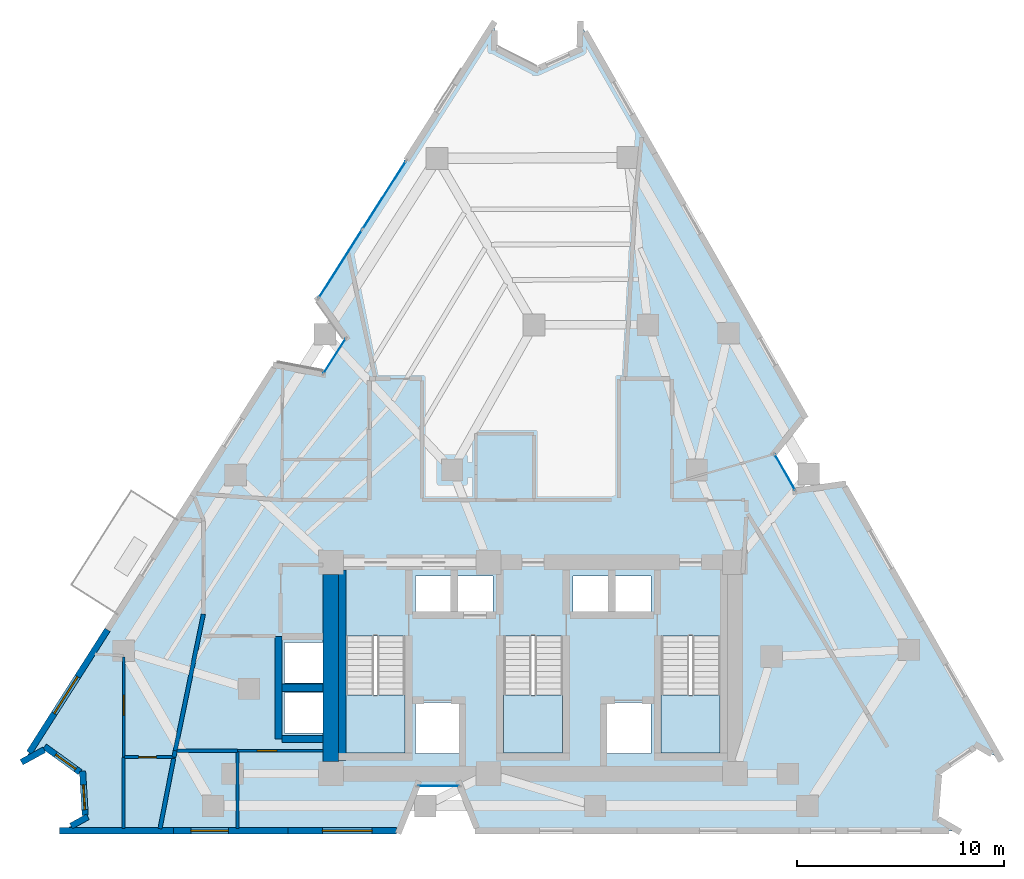
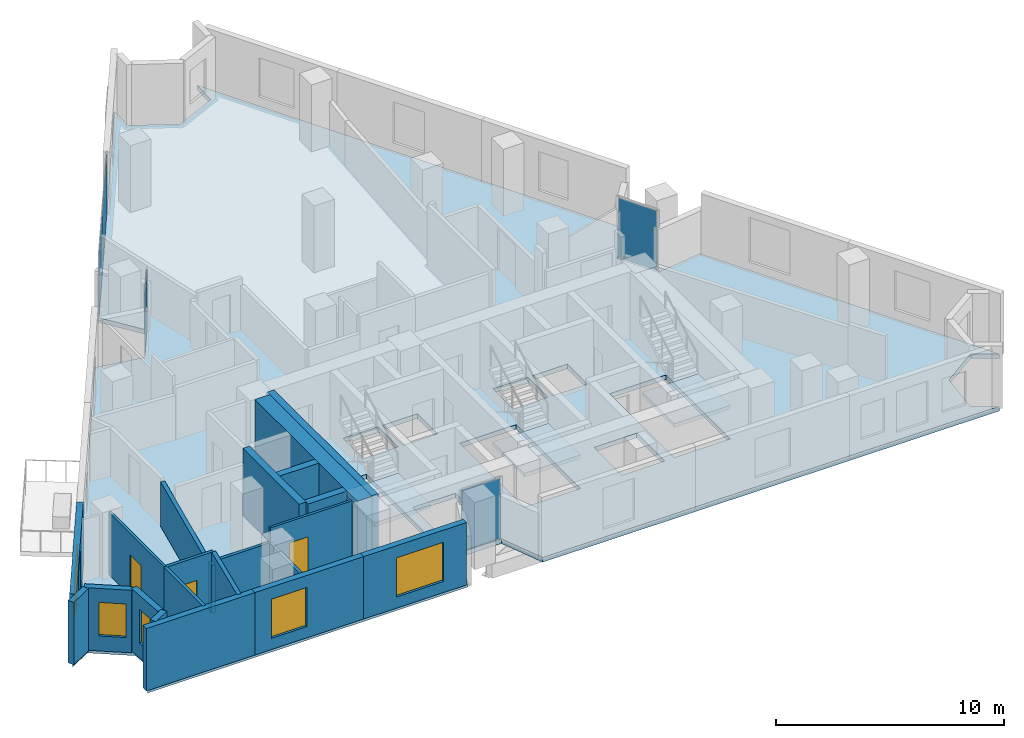
# One storey, part 6 of 11: 22 walls, 5 plates, 5 windows, 4 slabs, 3 doors, 8 openings, 7 elements without a shape of their own.
"""IFC4 building model written with IfcOpenShell, lengths in metres."""

import ifcopenshell
import ifcopenshell.guid

model = None  # the IFC model being written
_history = None  # IfcOwnerHistory: only IFC2X3 demands one
_inside = {}  # id of a spatial element -> (the spatial element, [elements in it])
_under = {}  # id of a project, library or spatial element -> (it, [spatial elements below it])
_declared = {}  # id of a project -> (the project, [libraries it declares])
_typed = {}  # id of a type object -> (the type object, [elements of that type])
_made_of = {}  # id of a material, layer set ... -> (it, [elements and type objects made of it])


def new_model(schema):
    """Start an empty IFC model of exactly this schema.

    Asked for "IFC4X3", IfcOpenShell would pick the latest addendum, in which some entities
    have other attributes; the version numbers below select the first issue.
    IFC2X3 requires an IfcOwnerHistory on every rooted entity: one is made here for all.
    """
    global model, _history
    if schema == "IFC4X3":
        model = ifcopenshell.file(schema_version=(4, 3, 0, 0))
    else:
        model = ifcopenshell.file(schema=schema)
    _inside.clear()
    _under.clear()
    _declared.clear()
    _typed.clear()
    _made_of.clear()
    _history = None
    if model.schema == "IFC2X3":
        org = make("IfcOrganization", Name="unknown")
        user = make(
            "IfcPersonAndOrganization",
            ThePerson=make("IfcPerson", FamilyName="unknown"),
            TheOrganization=org,
        )
        app = make(
            "IfcApplication",
            ApplicationDeveloper=org,
            Version="unknown",
            ApplicationFullName="unknown",
            ApplicationIdentifier="unknown",
        )
        _history = make(
            "IfcOwnerHistory",
            OwningUser=user,
            OwningApplication=app,
            ChangeAction="ADDED",
            CreationDate=0,
        )
    return model


def make(cls, **values):
    """One entity of the class cls with the attributes given. An attribute that is None is left unset."""
    return model.create_entity(
        cls, **{name: value for name, value in values.items() if value is not None}
    )


def rooted(cls, **values):
    """An entity with a GlobalId (a new one), such as an element, a storey or a relation."""
    return make(cls, GlobalId=ifcopenshell.guid.new(), OwnerHistory=_history, **values)


def si_unit(unit_type, name, prefix=None):
    """IfcSIUnit, for example si_unit("LENGTHUNIT", "METRE", prefix="MILLI")."""
    return make("IfcSIUnit", UnitType=unit_type, Prefix=prefix, Name=name)


def assignment(units):
    """IfcUnitAssignment: the units of a project."""
    return None if units is None else make("IfcUnitAssignment", Units=units)


def point(xyz):
    """IfcCartesianPoint."""
    return None if xyz is None else make("IfcCartesianPoint", Coordinates=xyz)


def direction(xyz):
    """IfcDirection."""
    return None if xyz is None else make("IfcDirection", DirectionRatios=xyz)


def frame(location, z_axis=None, x_axis=None):
    """IfcAxis2Placement3D, a coordinate frame: its origin and axes. An axis left out is left unset."""
    return make(
        "IfcAxis2Placement3D",
        Location=point(location),
        Axis=direction(z_axis),
        RefDirection=direction(x_axis),
    )


def frame_2d(location, x_axis=None):
    """IfcAxis2Placement2D, a coordinate frame in the plane: its origin and x axis."""
    return make(
        "IfcAxis2Placement2D", Location=point(location), RefDirection=direction(x_axis)
    )


def origin():
    """The frame at (0, 0, 0) with its axes left unset."""
    return frame((0.0, 0.0, 0.0))


def origin_2d():
    """The frame at (0, 0) in the plane with its x axis left unset."""
    return frame_2d((0.0, 0.0))


def place(relative_to, where):
    """IfcLocalPlacement: puts the frame where relative to a parent placement (None: the world)."""
    return make(
        "IfcLocalPlacement", PlacementRelTo=relative_to, RelativePlacement=where
    )


def context(
    kind, dimensions, precision=None, world=None, true_north=None, identifier=None
):
    """IfcGeometricRepresentationContext, for example the 3D "Model" context."""
    return make(
        "IfcGeometricRepresentationContext",
        ContextIdentifier=identifier,
        ContextType=kind,
        CoordinateSpaceDimension=dimensions,
        Precision=precision,
        WorldCoordinateSystem=world,
        TrueNorth=true_north,
    )


def subcontext(parent, identifier, kind, view, scale=None):
    """IfcGeometricRepresentationSubContext, for example "Body" below "Model"."""
    return make(
        "IfcGeometricRepresentationSubContext",
        ContextIdentifier=identifier,
        ContextType=kind,
        ParentContext=parent,
        TargetScale=scale,
        TargetView=view,
    )


def project(units=None, contexts=None):
    """IfcProject with its units and contexts."""
    return rooted(
        "IfcProject",
        Name="project",
        RepresentationContexts=contexts,
        UnitsInContext=assignment(units),
    )


def spatial(cls, under=None, at=None, **own):
    """A site, building, storey or space (cls), placed at a placement, below another one or the project."""
    s = rooted(cls, ObjectPlacement=at, **own)
    if under is not None:
        _under.setdefault(under.id(), (under, []))[1].append(s)
    return s


def polyline(points):
    """IfcPolyline through the points."""
    return make("IfcPolyline", Points=[point(p) for p in points])


def profile(cls, at=None, kind="AREA", **sizes):
    """A parametric profile (cls). Its sizes go by their IFC names, for example OverallWidth=200.0."""
    return make(cls, ProfileType=kind, Position=at, **sizes)


def rectangle(**sizes):
    """IfcRectangleProfileDef."""
    return profile("IfcRectangleProfileDef", **sizes)


def outline(outer, holes=None, kind="AREA"):
    """IfcArbitraryClosedProfileDef: a profile drawn as a closed curve; with holes, ...WithVoids."""
    if holes is None:
        return make("IfcArbitraryClosedProfileDef", ProfileType=kind, OuterCurve=outer)
    return make(
        "IfcArbitraryProfileDefWithVoids",
        ProfileType=kind,
        OuterCurve=outer,
        InnerCurves=holes,
    )


def extrude(swept, where, along, depth):
    """IfcExtrudedAreaSolid: the profile swept, set in the frame where, extruded along a direction by depth."""
    return make(
        "IfcExtrudedAreaSolid",
        SweptArea=swept,
        Position=where,
        ExtrudedDirection=direction(along),
        Depth=depth,
    )


def shape(context_of_items, identifier, shape_type, items):
    """IfcShapeRepresentation: the items that make up one representation, for example the "Body"."""
    return make(
        "IfcShapeRepresentation",
        ContextOfItems=context_of_items,
        RepresentationIdentifier=identifier,
        RepresentationType=shape_type,
        Items=items,
    )


def material(Name=None, Category=None):
    """IfcMaterial."""
    return make("IfcMaterial", Name=Name, Category=Category)


def layer(
    of_material, thickness, ventilated=None, Name=None, Category=None, Priority=None
):
    """IfcMaterialLayer: one layer of a wall or slab, of a material (None: an air gap)."""
    return make(
        "IfcMaterialLayer",
        Material=of_material,
        LayerThickness=thickness,
        IsVentilated=ventilated,
        Name=Name,
        Category=Category,
        Priority=Priority,
    )


def layer_set(layers, Name=None):
    """IfcMaterialLayerSet."""
    return make("IfcMaterialLayerSet", MaterialLayers=layers, LayerSetName=Name)


def made_of(thing, what):
    """Note that an element or type object is made of a material, layer set ...; save() writes the relation."""
    if what is not None:
        _made_of.setdefault(what.id(), (what, []))[1].append(thing)
    return thing


def type_object(cls, material=None, **own):
    """A type object (cls), such as IfcWallType, which elements share."""
    return made_of(rooted(cls, **own), material)


def element(
    cls,
    number,
    at=None,
    inside=None,
    cuts=None,
    type_object=None,
    material=None,
    context=None,
    identifier="Body",
    shape_type=None,
    held_by="IfcProductDefinitionShape",
    body=None,
    shapes=None,
    **own,
):
    """One element of the class cls, such as IfcWall. Its Tag is "e" and its number.

    at: its placement. inside: the storey or other place that contains it. cuts: it is an
    opening in that element (IfcRelVoidsElement). A single representation is given by context,
    identifier, shape_type and body (its items); several are given by shapes. held_by: the class
    of the entity that holds the representations. save() writes the other relations.
    """
    e = rooted(cls, Tag="e%d" % number, ObjectPlacement=at, **own)
    if body is not None:
        shapes = [shape(context, identifier, shape_type, body)]
    if shapes is not None:
        e.Representation = make(held_by, Representations=shapes)
    if inside is not None:
        _inside.setdefault(inside.id(), (inside, []))[1].append(e)
    if cuts is not None:
        rooted(
            "IfcRelVoidsElement", RelatingBuildingElement=cuts, RelatedOpeningElement=e
        )
    if type_object is not None:
        _typed.setdefault(type_object.id(), (type_object, []))[1].append(e)
    return made_of(e, material)


def fill(opening, filler):
    """IfcRelFillsElement: the door or window that sits in an opening."""
    return rooted(
        "IfcRelFillsElement",
        RelatingOpeningElement=opening,
        RelatedBuildingElement=filler,
    )


def aggregate(whole, parts):
    """IfcRelAggregates: a whole, such as a stair, and the parts it consists of."""
    return rooted("IfcRelAggregates", RelatingObject=whole, RelatedObjects=parts)


def save(model, path):
    """Write the relations noted so far, then the file.

    IfcRelAggregates (storeys below a building ...), IfcRelContainedInSpatialStructure (elements
    in a storey), IfcRelDefinesByType, IfcRelAssociatesMaterial and IfcRelDeclares: one each for
    every whole, place, type object, material and project.
    """
    for whole, parts in _under.values():
        aggregate(whole, parts)
    for where, things in _inside.values():
        rooted(
            "IfcRelContainedInSpatialStructure",
            RelatedElements=things,
            RelatingStructure=where,
        )
    for kind, things in _typed.values():
        rooted("IfcRelDefinesByType", RelatedObjects=things, RelatingType=kind)
    for what, things in _made_of.values():
        rooted("IfcRelAssociatesMaterial", RelatedObjects=things, RelatingMaterial=what)
    for by, libraries in _declared.values():
        rooted("IfcRelDeclares", RelatingContext=by, RelatedDefinitions=libraries)
    model.write(path)


model = new_model("IFC4")

# Units and contexts
model_context = context("Model", 3, precision=1e-05, world=origin(), true_north=direction((0.0, 1.0)))
body_context = subcontext(model_context, "Body", "Model", "MODEL_VIEW")
ifc_project = project(units=[si_unit("LENGTHUNIT", "METRE"), si_unit("AREAUNIT", "SQUARE_METRE"), si_unit("VOLUMEUNIT", "CUBIC_METRE"), si_unit("PLANEANGLEUNIT", "RADIAN"), si_unit("MASSUNIT", "GRAM", prefix="KILO")], contexts=[model_context])

# Site, building, storey
site_placement = place(None, origin())
site = spatial("IfcSite", under=ifc_project, at=site_placement, CompositionType="ELEMENT")
building_placement = place(site_placement, origin())
building = spatial("IfcBuilding", under=site, at=building_placement, Name="Almagre Mirador Tower", CompositionType="ELEMENT")
storey_placement = place(building_placement, frame((0.0, 0.0, 142.800048828125)))
storey = spatial("IfcBuildingStorey", under=building, at=storey_placement, Name="L36", CompositionType="ELEMENT", Elevation=142.800048828125)

# Curtain wall, plate
ifc_material_1 = material(Name="Black anodized aluminium", Category="aluminium")
ifc_layer_1 = layer(ifc_material_1, 0.169921875)
ifc_layer_set_1 = layer_set([ifc_layer_1], Name="Black anodized aluminium")
curtain_wall_type_1 = type_object("IfcCurtainWallType", Name="CW-CRS-SYS", PredefinedType="NOTDEFINED", material=ifc_layer_set_1)
curtain_wall_1_placement = place(storey_placement, origin())
curtain_wall_1 = element("IfcCurtainWall", 1, at=curtain_wall_1_placement, inside=storey, type_object=curtain_wall_type_1, Name="L36 vertical crease curtain wall 01", PredefinedType="NOTDEFINED")
ifc_material_2 = material(Name="Dark solar-control laminated hurricane glass", Category="glass")
ifc_layer_2 = layer(ifc_material_2, 0.028076171875)
ifc_layer_set_2 = layer_set([ifc_layer_2], Name="Dark solar-control laminated hurricane glass")
plate_type_1 = type_object("IfcPlateType", Name="PLT-GLZ-28", PredefinedType="CURTAIN_PANEL", material=ifc_layer_set_2)
plate_1_placement = place(storey_placement, frame((27.7294921875, 24.697509765625, 0.06005859375), z_axis=(0.0, 0.0, 1.0), x_axis=(0.537246906243, 0.843425018441, 0.0)))
plate_1 = element("IfcPlate", 2, at=plate_1_placement, type_object=plate_type_1, Name="CW-4 panel 1.1", PredefinedType="CURTAIN_PANEL", context=body_context, shape_type="SweptSolid", body=[
    extrude(rectangle(XDim=1.97021484375, YDim=0.028076171875, at=origin_2d()), origin(), (0.0, 0.0, 1.0), 3.22998046875),
])
aggregate(curtain_wall_1, [plate_1])

curtain_wall_2_placement = place(storey_placement, origin())
curtain_wall_2 = element("IfcCurtainWall", 3, at=curtain_wall_2_placement, inside=storey, type_object=curtain_wall_type_1, Name="L36 vertical crease curtain wall 03", PredefinedType="NOTDEFINED")
plate_2_placement = place(storey_placement, frame((49.450927734375, 19.098388671875, 0.06005859375), z_axis=(0.0, 0.0, 1.0), x_axis=(0.495726635757, -0.868478613785, 0.0)))
plate_2 = element("IfcPlate", 4, at=plate_2_placement, type_object=plate_type_1, Name="CW-4 panel 1.1", PredefinedType="CURTAIN_PANEL", context=body_context, shape_type="SweptSolid", body=[
    extrude(rectangle(XDim=1.969970703125, YDim=0.028076171875, at=origin_2d()), origin(), (0.0, 0.0, 1.0), 3.22998046875),
])
aggregate(curtain_wall_2, [plate_2])

curtain_wall_3_placement = place(storey_placement, origin())
curtain_wall_3 = element("IfcCurtainWall", 5, at=curtain_wall_3_placement, inside=storey, type_object=curtain_wall_type_1, Name="L36 vertical crease curtain wall 04", PredefinedType="NOTDEFINED")
plate_3_placement = place(storey_placement, frame((32.743896484375, 3.949951171875, 0.06005859375), z_axis=(0.0, 0.0, 1.0), x_axis=(-1.0, 0.0, 0.0)))
plate_3 = element("IfcPlate", 6, at=plate_3_placement, type_object=plate_type_1, Name="CW-4 panel 1.1", PredefinedType="CURTAIN_PANEL", context=body_context, shape_type="SweptSolid", body=[
    extrude(rectangle(XDim=1.969970703125, YDim=0.028076171875, at=origin_2d()), origin(), (0.0, 0.0, 1.0), 3.22998046875),
])
aggregate(curtain_wall_3, [plate_3])

# Curtain wall, plates
ifc_material_3 = material(Name="Black anodized aluminium", Category="aluminium")
ifc_layer_3 = layer(ifc_material_3, 0.199951171875)
ifc_layer_set_3 = layer_set([ifc_layer_3], Name="Black anodized aluminium")
curtain_wall_type_2 = type_object("IfcCurtainWallType", Name="CW-RES-H-SYS", PredefinedType="NOTDEFINED", material=ifc_layer_set_3)
curtain_wall_4_placement = place(storey_placement, origin())
curtain_wall_4 = element("IfcCurtainWall", 7, at=curtain_wall_4_placement, inside=storey, type_object=curtain_wall_type_2, Name="L36 curtain wall run 02", PredefinedType="NOTDEFINED")
ifc_material_4 = material(Name="Dark solar-control laminated hurricane glass", Category="glass")
ifc_layer_4 = layer(ifc_material_4, 0.035888671875)
ifc_layer_set_4 = layer_set([ifc_layer_4], Name="Dark solar-control laminated hurricane glass")
plate_type_2 = type_object("IfcPlateType", Name="PLT-GLZ-36", PredefinedType="CURTAIN_PANEL", material=ifc_layer_set_4)
plate_4_placement = place(storey_placement, frame((28.010009765625, 29.14013671875, 0.06494140625), z_axis=(0.0, 0.0, 1.0), x_axis=(0.537108145162, 0.843513390766, 0.0)))
plate_4 = element("IfcPlate", 8, at=plate_4_placement, type_object=plate_type_2, Name="CW-3 panel 1.1", PredefinedType="CURTAIN_PANEL", context=body_context, shape_type="SweptSolid", body=[
    extrude(rectangle(XDim=3.865478515625, YDim=0.035888671875, at=origin_2d()), origin(), (0.0, 0.0, 1.0), 3.219970703125),
])
plate_5_placement = place(storey_placement, frame((30.12109375, 32.455322265625, 0.06494140625), z_axis=(0.0, 0.0, 1.0), x_axis=(0.537108145162, 0.843513390766, 0.0)))
plate_5 = element("IfcPlate", 9, at=plate_5_placement, type_object=plate_type_2, Name="CW-3 panel 2.1", PredefinedType="CURTAIN_PANEL", context=body_context, shape_type="SweptSolid", body=[
    extrude(rectangle(XDim=3.865478515625, YDim=0.035888671875, at=origin_2d()), origin(), (0.0, 0.0, 1.0), 3.219970703125),
])
aggregate(curtain_wall_4, [plate_4, plate_5])

# Slab
ifc_material_5 = material(Name="Concrete C45/55", Category="concrete")
ifc_layer_5 = layer(ifc_material_5, 0.25)
ifc_layer_set_5 = layer_set([ifc_layer_5], Name="Concrete C45/55")
slab_type_1 = type_object("IfcSlabType", Name="SLB-FLR-250", PredefinedType="FLOOR", material=ifc_layer_set_5)
slab_1_placement = place(storey_placement, frame((0.0, 0.0, -0.25)))
element("IfcSlab", 10, at=slab_1_placement, inside=storey, type_object=slab_type_1, Name="L36 structural floor slab", PredefinedType="FLOOR", context=body_context, shape_type="SweptSolid", body=[
    extrude(outline(polyline([(12.7490234375, 5.174072265625), (13.85302734375, 5.780029296875), (15.580078125, 4.532958984375), (15.705078125, 2.406005859375), (14.60009765625, 1.800048828125), (30.843994140625, 1.800048828125), (31.698974609375, 3.949951171875), (33.7890625, 3.949951171875), (34.64404296875, 1.800048828125), (57.800048828125, 1.800048828125), (56.7099609375, 2.43310546875), (56.887939453125, 4.652099609375), (58.72802734375, 5.906982421875), (59.81689453125, 5.27392578125), (52.260986328125, 18.513916015625), (49.968994140625, 18.19091796875), (48.93310546875, 20.006103515625), (50.376953125, 21.81396484375), (39.5830078125, 40.72607421875), (39.552001953125, 39.466064453125), (37.462890625, 38.52197265625), (35.4208984375, 39.56591796875), (35.450927734375, 40.825927734375), (26.93701171875, 27.455078125), (28.291015625, 25.5791015625), (27.16796875, 23.81591796875), (24.89599609375, 24.25), (12.7490234375, 5.174072265625)]), holes=[polyline([(43.47509765625, 5.550048828125), (43.47509765625, 11.196044921875), (46.324951171875, 11.196044921875), (46.324951171875, 5.550048828125), (43.47509765625, 5.550048828125)]), polyline([(40.820068359375, 5.52001953125), (40.820068359375, 7.97998046875), (42.97998046875, 7.97998046875), (42.97998046875, 5.52001953125), (40.820068359375, 5.52001953125)]), polyline([(41.219970703125, 12.320068359375), (41.219970703125, 14.080078125), (42.97998046875, 14.080078125), (42.97998046875, 12.320068359375), (41.219970703125, 12.320068359375)]), polyline([(39.219970703125, 12.320068359375), (39.219970703125, 14.080078125), (40.97998046875, 14.080078125), (40.97998046875, 12.320068359375), (39.219970703125, 12.320068359375)]), polyline([(35.875, 11.196044921875), (38.72509765625, 11.196044921875), (38.72509765625, 5.550048828125), (35.875, 5.550048828125), (35.875, 11.196044921875)]), polyline([(35.3798828125, 12.320068359375), (33.6201171875, 12.320068359375), (33.6201171875, 14.080078125), (35.3798828125, 14.080078125), (35.3798828125, 12.320068359375)]), polyline([(33.780029296875, 5.52001953125), (31.6201171875, 5.52001953125), (31.6201171875, 7.97998046875), (33.780029296875, 7.97998046875), (33.780029296875, 5.52001953125)]), polyline([(31.6201171875, 12.320068359375), (31.6201171875, 14.080078125), (33.3798828125, 14.080078125), (33.3798828125, 12.320068359375), (31.6201171875, 12.320068359375)]), polyline([(28.27490234375, 5.550048828125), (28.27490234375, 11.196044921875), (31.125, 11.196044921875), (31.125, 5.550048828125), (28.27490234375, 5.550048828125)]), polyline([(25.320068359375, 8.919921875), (25.320068359375, 10.8798828125), (27.3798828125, 10.8798828125), (27.3798828125, 8.919921875), (25.320068359375, 8.919921875)]), polyline([(27.3798828125, 6.52001953125), (25.320068359375, 6.52001953125), (25.320068359375, 8.47998046875), (27.3798828125, 8.47998046875), (27.3798828125, 6.52001953125)])]), origin(), (0.0, 0.0, 1.0), 0.25),
])

# Stair, slab
ifc_material_6 = material(Name="Concrete C45/55", Category="concrete")
stair_type = type_object("IfcStairType", Name="STR-DL-3600", PredefinedType="HALF_TURN_STAIR", material=ifc_material_6)
stair_1_placement = place(storey_placement, origin())
stair_1 = element("IfcStair", 11, at=stair_1_placement, inside=storey, type_object=stair_type, Name="L36 Protected exit stair ST-1", PredefinedType="HALF_TURN_STAIR")
ifc_material_7 = material(Name="Concrete C45/55", Category="concrete")
ifc_layer_6 = layer(ifc_material_7, 0.199951171875)
ifc_layer_set_6 = layer_set([ifc_layer_6], Name="Concrete C45/55")
slab_type_2 = type_object("IfcSlabType", Name="SLB-LND-200", PredefinedType="LANDING", material=ifc_layer_set_6)
slab_2_placement = place(storey_placement, frame((0.0, 0.0, 1.599853515625)))
slab_2 = element("IfcSlab", 12, at=slab_2_placement, type_object=slab_type_2, Name="ST-1 landing 1", PredefinedType="LANDING", context=body_context, shape_type="SweptSolid", body=[
    extrude(outline(polyline([(28.27490234375, 8.35009765625), (28.27490234375, 5.550048828125), (31.125, 5.550048828125), (31.125, 8.35009765625), (28.27490234375, 8.35009765625)])), origin(), (0.0, 0.0, 1.0), 0.2001953125),
])
aggregate(stair_1, [slab_2])

stair_2_placement = place(storey_placement, origin())
stair_2 = element("IfcStair", 13, at=stair_2_placement, inside=storey, type_object=stair_type, Name="L36 Protected exit stair ST-2", PredefinedType="HALF_TURN_STAIR")
slab_3_placement = place(storey_placement, frame((0.0, 0.0, 1.599853515625)))
slab_3 = element("IfcSlab", 14, at=slab_3_placement, type_object=slab_type_2, Name="ST-2 landing 1", PredefinedType="LANDING", context=body_context, shape_type="SweptSolid", body=[
    extrude(outline(polyline([(35.875, 8.35009765625), (35.875, 5.550048828125), (38.72509765625, 5.550048828125), (38.72509765625, 8.35009765625), (35.875, 8.35009765625)])), origin(), (0.0, 0.0, 1.0), 0.2001953125),
])
aggregate(stair_2, [slab_3])

stair_3_placement = place(storey_placement, origin())
stair_3 = element("IfcStair", 15, at=stair_3_placement, inside=storey, type_object=stair_type, Name="L36 Protected exit stair ST-3", PredefinedType="HALF_TURN_STAIR")
slab_4_placement = place(storey_placement, frame((0.0, 0.0, 1.599853515625)))
slab_4 = element("IfcSlab", 16, at=slab_4_placement, type_object=slab_type_2, Name="ST-3 landing 1", PredefinedType="LANDING", context=body_context, shape_type="SweptSolid", body=[
    extrude(outline(polyline([(43.47509765625, 8.35009765625), (43.47509765625, 5.550048828125), (46.324951171875, 5.550048828125), (46.324951171875, 8.35009765625), (43.47509765625, 8.35009765625)])), origin(), (0.0, 0.0, 1.0), 0.2001953125),
])
aggregate(stair_3, [slab_4])

# Wall, opening, window
ifc_material_8 = material(Name="Precast concrete C50/60", Category="concrete")
ifc_layer_7 = layer(ifc_material_8, 0.300048828125)
ifc_layer_set_7 = layer_set([ifc_layer_7], Name="Precast concrete C50/60")
wall_type_1 = type_object("IfcWallType", Name="WAL-EXT-300", PredefinedType="SOLIDWALL", material=ifc_layer_set_7)
wall_1_placement = place(storey_placement, frame((30.7041015625, 1.800048828125, 0.0), z_axis=(0.0, 0.0, 1.0), x_axis=(-1.0, 0.0, 0.0)))
wall_1 = element("IfcWall", 17, at=wall_1_placement, inside=storey, type_object=wall_type_1, Name="L36 expressed almagre precast frame wall 24", PredefinedType="SOLIDWALL", context=body_context, shape_type="SweptSolid", body=[
    extrude(rectangle(XDim=5.22802734375, YDim=0.300048828125, at=frame_2d((2.614013671875, 0.0))), origin(), (0.0, 0.0, 1.0), 3.349853515625),
])
opening_1_placement = place(wall_1_placement, frame((1.169921875, 0.0, 0.60009765625)))
opening_1 = element("IfcOpeningElement", 18, at=opening_1_placement, cuts=wall_1, Name="Opening WN-02", PredefinedType="OPENING", context=body_context, shape_type="SweptSolid", body=[
    extrude(rectangle(XDim=2.39990234375, YDim=2.10009765625, at=frame_2d((1.199951171875, 1.050048828125))), frame((0.0, 0.159902, 0.0), z_axis=(0.0, -1.0, 0.0), x_axis=(1.0, 0.0, 0.0)), (0.0, 0.0, 1.0), 0.320049),
])
ifc_material_9 = material(Name="Dark solar-control laminated hurricane glass", Category="glass")
window_type_1 = type_object("IfcWindowType", Name="WIN-2400X2100", PartitioningType="TRIPLE_PANEL_VERTICAL", PredefinedType="WINDOW", material=ifc_material_9)
window_1_placement = place(opening_1_placement, origin())
window_1 = element("IfcWindow", 19, at=window_1_placement, inside=storey, type_object=window_type_1, Name="L36 recessed hurricane window L36-UC-BT", OverallHeight=2.10009765625, OverallWidth=2.39990234375, PartitioningType="SINGLE_PANEL", PredefinedType="WINDOW", context=body_context, shape_type="SweptSolid", body=[
    extrude(rectangle(XDim=2.39990234375, YDim=2.10009765625, at=frame_2d((1.199951171875, 1.050048828125))), frame((0.0, 0.030029296875, 0.0), z_axis=(0.0, -1.0, 0.0), x_axis=(1.0, 0.0, 0.0)), (0.0, 0.0, 1.0), 0.06005859375),
])
fill(opening_1, window_1)

wall_2_placement = place(storey_placement, frame((25.47607421875, 1.800048828125, 0.0), z_axis=(0.0, 0.0, 1.0), x_axis=(-1.0, 0.0, 0.0)))
wall_2 = element("IfcWall", 20, at=wall_2_placement, inside=storey, type_object=wall_type_1, Name="L36 expressed almagre precast frame wall 25", PredefinedType="SOLIDWALL", context=body_context, shape_type="SweptSolid", body=[
    extrude(rectangle(XDim=5.508056640625, YDim=0.300048828125, at=frame_2d((2.75390625, 0.0))), origin(), (0.0, 0.0, 1.0), 3.349853515625),
])
opening_2_placement = place(wall_2_placement, frame((2.875, 0.0, 0.60009765625)))
opening_2 = element("IfcOpeningElement", 21, at=opening_2_placement, cuts=wall_2, Name="Opening WN-01", PredefinedType="OPENING", context=body_context, shape_type="SweptSolid", body=[
    extrude(rectangle(XDim=1.800048828125, YDim=2.10009765625, at=frame_2d((0.89990234375, 1.050048828125))), frame((0.0, 0.159902, 0.0), z_axis=(0.0, -1.0, 0.0), x_axis=(1.0, 0.0, 0.0)), (0.0, 0.0, 1.0), 0.320049),
])
ifc_material_10 = material(Name="Dark solar-control laminated hurricane glass", Category="glass")
window_type_2 = type_object("IfcWindowType", Name="WIN-1800X2100", PartitioningType="DOUBLE_PANEL_VERTICAL", PredefinedType="WINDOW", material=ifc_material_10)
window_2_placement = place(opening_2_placement, origin())
window_2 = element("IfcWindow", 22, at=window_2_placement, inside=storey, type_object=window_type_2, Name="L36 recessed hurricane window L36-UB-BT", OverallHeight=2.10009765625, OverallWidth=1.800048828125, PartitioningType="SINGLE_PANEL", PredefinedType="WINDOW", context=body_context, shape_type="SweptSolid", body=[
    extrude(rectangle(XDim=1.800048828125, YDim=2.10009765625, at=frame_2d((0.89990234375, 1.050048828125))), frame((0.0, 0.030029296875, 0.0), z_axis=(0.0, -1.0, 0.0), x_axis=(1.0, 0.0, 0.0)), (0.0, 0.0, 1.0), 0.06005859375),
])
fill(opening_2, window_2)

# Walls
wall_3_placement = place(storey_placement, frame((19.968017578125, 1.800048828125, 0.0), z_axis=(0.0, 0.0, 1.0), x_axis=(-1.0, 0.0, 0.0)))
element("IfcWall", 23, at=wall_3_placement, inside=storey, type_object=wall_type_1, Name="L36 expressed almagre precast frame wall 26", PredefinedType="SOLIDWALL", context=body_context, shape_type="SweptSolid", body=[
    extrude(rectangle(XDim=5.508056640625, YDim=0.300048828125, at=frame_2d((2.75390625, 0.0))), origin(), (0.0, 0.0, 1.0), 3.349853515625),
])
wall_4_placement = place(storey_placement, frame((15.016357421875, 2.0283203125, 0.0), z_axis=(0.0, 0.0, 1.0), x_axis=(0.876794471231, 0.48086531921, 0.0)))
element("IfcWall", 24, at=wall_4_placement, inside=storey, type_object=wall_type_1, Name="L36 expressed almagre precast frame wall 27", PredefinedType="SOLIDWALL", context=body_context, shape_type="SweptSolid", body=[
    extrude(rectangle(XDim=0.925537109375, YDim=0.300048828125, at=frame_2d((0.462890625, 0.0))), origin(), (0.0, 0.0, 1.0), 3.349853515625),
])

# Wall, opening, window
wall_5_placement = place(storey_placement, frame((15.696533203125, 2.55078125, 0.0), z_axis=(0.0, 0.0, 1.0), x_axis=(-0.058688358982, 0.99827635278, 0.0)))
wall_5 = element("IfcWall", 25, at=wall_5_placement, inside=storey, type_object=wall_type_1, Name="L36 expressed almagre precast frame wall 28", PredefinedType="SOLIDWALL", context=body_context, shape_type="SweptSolid", body=[
    extrude(rectangle(XDim=2.125732421875, YDim=0.300048828125, at=frame_2d((1.06298828125, 0.0))), origin(), (0.0, 0.0, 1.0), 3.349853515625),
])
opening_3_placement = place(wall_5_placement, frame((0.264892578125, 0.0, 0.800048828125)))
opening_3 = element("IfcOpeningElement", 26, at=opening_3_placement, cuts=wall_5, Name="Opening WN-04", PredefinedType="OPENING", context=body_context, shape_type="SweptSolid", body=[
    extrude(rectangle(XDim=1.199951171875, YDim=1.800048828125, at=frame_2d((0.60009765625, 0.89990234375))), frame((0.0, 0.159902, 0.0), z_axis=(0.0, -1.0, 0.0), x_axis=(1.0, 0.0, 0.0)), (0.0, 0.0, 1.0), 0.320049),
])
ifc_material_11 = material(Name="Dark solar-control laminated hurricane glass", Category="glass")
window_type_3 = type_object("IfcWindowType", Name="WIN-1200X1800", PartitioningType="SINGLE_PANEL", PredefinedType="WINDOW", material=ifc_material_11)
window_3_placement = place(opening_3_placement, origin())
window_3 = element("IfcWindow", 27, at=window_3_placement, inside=storey, type_object=window_type_3, Name="L36 recessed hurricane window L36-UA-KT", OverallHeight=1.800048828125, OverallWidth=1.199951171875, PartitioningType="SINGLE_PANEL", PredefinedType="WINDOW", context=body_context, shape_type="SweptSolid", body=[
    extrude(rectangle(XDim=1.199951171875, YDim=1.800048828125, at=frame_2d((0.60009765625, 0.89990234375))), frame((0.0, 0.030029296875, 0.0), z_axis=(0.0, -1.0, 0.0), x_axis=(1.0, 0.0, 0.0)), (0.0, 0.0, 1.0), 0.06005859375),
])
fill(opening_3, window_3)

wall_6_placement = place(storey_placement, frame((15.4501953125, 4.626708984375, 0.0), z_axis=(0.0, 0.0, 1.0), x_axis=(-0.810712787228, 0.585444084969, 0.0)))
wall_6 = element("IfcWall", 28, at=wall_6_placement, inside=storey, type_object=wall_type_1, Name="L36 expressed almagre precast frame wall 29", PredefinedType="SOLIDWALL", context=body_context, shape_type="SweptSolid", body=[
    extrude(rectangle(XDim=2.110107421875, YDim=0.300048828125, at=frame_2d((1.05517578125, 0.0))), origin(), (0.0, 0.0, 1.0), 3.349853515625),
])
opening_4_placement = place(wall_6_placement, frame((0.25, 0.0, 0.800048828125)))
opening_4 = element("IfcOpeningElement", 29, at=opening_4_placement, cuts=wall_6, Name="Opening WN-04", PredefinedType="OPENING", context=body_context, shape_type="SweptSolid", body=[
    extrude(rectangle(XDim=1.199951171875, YDim=1.800048828125, at=frame_2d((0.60009765625, 0.89990234375))), frame((0.0, 0.159902, 0.0), z_axis=(0.0, -1.0, 0.0), x_axis=(1.0, 0.0, 0.0)), (0.0, 0.0, 1.0), 0.320049),
])
window_4_placement = place(opening_4_placement, origin())
window_4 = element("IfcWindow", 30, at=window_4_placement, inside=storey, type_object=window_type_3, Name="L36 recessed hurricane window L36-UA-KT", OverallHeight=1.800048828125, OverallWidth=1.199951171875, PartitioningType="SINGLE_PANEL", PredefinedType="WINDOW", context=body_context, shape_type="SweptSolid", body=[
    extrude(rectangle(XDim=1.199951171875, YDim=1.800048828125, at=frame_2d((0.60009765625, 0.89990234375))), frame((0.0, 0.030029296875, 0.0), z_axis=(0.0, -1.0, 0.0), x_axis=(1.0, 0.0, 0.0)), (0.0, 0.0, 1.0), 0.06005859375),
])
fill(opening_4, window_4)

# Wall
wall_7_placement = place(storey_placement, frame((13.725830078125, 5.710205078125, 0.0), z_axis=(0.0, 0.0, 1.0), x_axis=(-0.876642942611, -0.481141508467, 0.0)))
element("IfcWall", 31, at=wall_7_placement, inside=storey, type_object=wall_type_1, Name="L36 expressed almagre precast frame wall 30", PredefinedType="SOLIDWALL", context=body_context, shape_type="SweptSolid", body=[
    extrude(rectangle(XDim=1.25439453125, YDim=0.300048828125, at=frame_2d((0.627197265625, 0.0))), origin(), (0.0, 0.0, 1.0), 3.349853515625),
])

# Wall, opening, window
wall_8_placement = place(storey_placement, frame((12.998779296875, 5.566162109375, 0.0), z_axis=(0.0, 0.0, 1.0), x_axis=(0.537107030311, 0.843514100647, 0.0)))
wall_8 = element("IfcWall", 32, at=wall_8_placement, inside=storey, type_object=wall_type_1, Name="L36 expressed almagre precast frame wall 31", PredefinedType="SOLIDWALL", context=body_context, shape_type="SweptSolid", body=[
    extrude(rectangle(XDim=7.02685546875, YDim=0.300048828125, at=frame_2d((3.513427734375, 0.0))), origin(), (0.0, 0.0, 1.0), 3.349853515625),
])
opening_5_placement = place(wall_8_placement, frame((2.2451171875, 0.0, 0.550048828125)))
opening_5 = element("IfcOpeningElement", 33, at=opening_5_placement, cuts=wall_8, Name="Opening WN-05", PredefinedType="OPENING", context=body_context, shape_type="SweptSolid", body=[
    extrude(rectangle(XDim=2.10009765625, YDim=2.39990234375, at=frame_2d((1.050048828125, 1.199951171875))), frame((0.0, 0.159902, 0.0), z_axis=(0.0, -1.0, 0.0), x_axis=(1.0, 0.0, 0.0)), (0.0, 0.0, 1.0), 0.320049),
])
ifc_material_12 = material(Name="Dark solar-control laminated hurricane glass", Category="glass")
window_type_4 = type_object("IfcWindowType", Name="WIN-2100X2400", PartitioningType="DOUBLE_PANEL_VERTICAL", PredefinedType="WINDOW", material=ifc_material_12)
window_5_placement = place(opening_5_placement, origin())
window_5 = element("IfcWindow", 34, at=window_5_placement, inside=storey, type_object=window_type_4, Name="L36 recessed hurricane window L36-UA-KT", OverallHeight=2.39990234375, OverallWidth=2.10009765625, PartitioningType="SINGLE_PANEL", PredefinedType="WINDOW", context=body_context, shape_type="SweptSolid", body=[
    extrude(rectangle(XDim=2.10009765625, YDim=2.39990234375, at=frame_2d((1.050048828125, 1.199951171875))), frame((0.0, 0.030029296875, 0.0), z_axis=(0.0, -1.0, 0.0), x_axis=(1.0, 0.0, 0.0)), (0.0, 0.0, 1.0), 0.06005859375),
])
fill(opening_5, window_5)

# Wall, opening, door
ifc_material_13 = material(Name="Gypsum acoustic stud partition", Category="other")
ifc_layer_8 = layer(ifc_material_13, 0.125)
ifc_layer_set_8 = layer_set([ifc_layer_8], Name="Gypsum acoustic stud partition")
wall_type_2 = type_object("IfcWallType", Name="WAL-PRT-125-UTL", PredefinedType="PARTITIONING", material=ifc_layer_set_8)
wall_9_placement = place(storey_placement, frame((17.550048828125, 10.1923828125, 0.0), z_axis=(0.0, 0.0, 1.0), x_axis=(0.0, -1.0, 0.0)))
wall_9 = element("IfcWall", 35, at=wall_9_placement, inside=storey, type_object=wall_type_2, Name="L36 interior partition 025", PredefinedType="PARTITIONING", context=body_context, shape_type="SweptSolid", body=[
    extrude(rectangle(XDim=4.84228515625, YDim=0.125, at=frame_2d((2.421142578125, 0.0))), origin(), (0.0, 0.0, 1.0), 3.349853515625),
])
opening_6_placement = place(wall_9_placement, frame((1.863525390625, 0.0, 0.0)))
opening_6 = element("IfcOpeningElement", 36, at=opening_6_placement, cuts=wall_9, Name="Opening UD-01", PredefinedType="OPENING", context=body_context, shape_type="SweptSolid", body=[
    extrude(rectangle(XDim=0.949951171875, YDim=2.199951171875, at=frame_2d((0.47509765625, 1.10009765625))), frame((0.0, 0.0725, 0.0), z_axis=(0.0, -1.0, 0.0), x_axis=(1.0, 0.0, 0.0)), (0.0, 0.0, 1.0), 0.145),
])
ifc_material_14 = material(Name="Solid American walnut timber", Category="wood")
door_type_1 = type_object("IfcDoorType", Name="DOR-UNR-950X2200", OperationType="NOTDEFINED", PredefinedType="DOOR", material=ifc_material_14)
door_1_placement = place(opening_6_placement, origin())
door_1 = element("IfcDoor", 37, at=door_1_placement, inside=storey, type_object=door_type_1, Name="DR-1177 L36 interior door L36-UA-ST to L36-UA-KT", OperationType="SINGLE_SWING_RIGHT", OverallHeight=2.199951171875, OverallWidth=0.949951171875, PredefinedType="DOOR", context=body_context, shape_type="SweptSolid", body=[
    extrude(rectangle(XDim=0.949951171875, YDim=2.199951171875, at=frame_2d((0.47509765625, 1.10009765625))), frame((0.0, 0.02490234375, 0.0), z_axis=(0.0, -1.0, 0.0), x_axis=(1.0, 0.0, 0.0)), (0.0, 0.0, 1.0), 0.050048828125),
])
fill(opening_6, door_1)

wall_10_placement = place(storey_placement, frame((23.0400390625, 5.659912109375, 0.0), z_axis=(0.0, 0.0, 1.0), x_axis=(1.0, 0.0, 0.0)))
wall_10 = element("IfcWall", 38, at=wall_10_placement, inside=storey, type_object=wall_type_2, Name="L36 interior partition 032", PredefinedType="PARTITIONING", context=body_context, shape_type="SweptSolid", body=[
    extrude(rectangle(XDim=4.135009765625, YDim=0.125, at=frame_2d((2.0673828125, 0.0))), origin(), (0.0, 0.0, 1.0), 3.349853515625),
])
opening_7_placement = place(wall_10_placement, frame((0.953369140625, 0.0, 0.0)))
opening_7 = element("IfcOpeningElement", 39, at=opening_7_placement, cuts=wall_10, Name="Opening UD-01", PredefinedType="OPENING", context=body_context, shape_type="SweptSolid", body=[
    extrude(rectangle(XDim=0.949951171875, YDim=2.199951171875, at=frame_2d((0.47509765625, 1.10009765625))), frame((0.0, 0.0725, 0.0), z_axis=(0.0, -1.0, 0.0), x_axis=(1.0, 0.0, 0.0)), (0.0, 0.0, 1.0), 0.145),
])
door_2_placement = place(opening_7_placement, origin())
door_2 = element("IfcDoor", 40, at=door_2_placement, inside=storey, type_object=door_type_1, Name="DR-1180 L36 interior door L36-UB-ST to L36-UB-KT", OperationType="SINGLE_SWING_LEFT", OverallHeight=2.199951171875, OverallWidth=0.949951171875, PredefinedType="DOOR", context=body_context, shape_type="SweptSolid", body=[
    extrude(rectangle(XDim=0.949951171875, YDim=2.199951171875, at=frame_2d((0.47509765625, 1.10009765625))), frame((0.0, 0.02490234375, 0.0), z_axis=(0.0, -1.0, 0.0), x_axis=(1.0, 0.0, 0.0)), (0.0, 0.0, 1.0), 0.050048828125),
])
fill(opening_7, door_2)

ifc_material_15 = material(Name="Gypsum acoustic stud partition", Category="other")
ifc_layer_9 = layer(ifc_material_15, 0.14990234375)
ifc_layer_set_9 = layer_set([ifc_layer_9], Name="Gypsum acoustic stud partition")
wall_type_3 = type_object("IfcWallType", Name="WAL-PRT-150-STD", PredefinedType="PARTITIONING", material=ifc_layer_set_9)
wall_11_placement = place(storey_placement, frame((17.597412109375, 5.35009765625, 0.0), z_axis=(0.0, 0.0, 1.0), x_axis=(1.0, 0.0, 0.0)))
wall_11 = element("IfcWall", 41, at=wall_11_placement, inside=storey, type_object=wall_type_3, Name="L36 interior partition 026", PredefinedType="PARTITIONING", context=body_context, shape_type="SweptSolid", body=[
    extrude(rectangle(XDim=2.382568359375, YDim=0.14990234375, at=frame_2d((1.19140625, 0.0))), origin(), (0.0, 0.0, 1.0), 3.349853515625),
])
opening_8_placement = place(wall_11_placement, frame((0.683349609375, 0.0, 0.0)))
opening_8 = element("IfcOpeningElement", 42, at=opening_8_placement, cuts=wall_11, Name="Opening UD-04", PredefinedType="OPENING", context=body_context, shape_type="SweptSolid", body=[
    extrude(rectangle(XDim=0.85009765625, YDim=2.10009765625, at=frame_2d((0.425048828125, 1.050048828125))), frame((0.0, 0.084951, 0.0), z_axis=(0.0, -1.0, 0.0), x_axis=(1.0, 0.0, 0.0)), (0.0, 0.0, 1.0), 0.169902),
])
ifc_material_16 = material(Name="Moisture-resistant oak timber", Category="wood")
door_type_2 = type_object("IfcDoorType", Name="DOR-UNR-850X2100", OperationType="NOTDEFINED", PredefinedType="DOOR", material=ifc_material_16)
door_3_placement = place(opening_8_placement, origin())
door_3 = element("IfcDoor", 43, at=door_3_placement, inside=storey, type_object=door_type_2, Name="DR-1178 L36 interior door L36-UA-ST to L36-UA-BT", OperationType="SINGLE_SWING_LEFT", OverallHeight=2.10009765625, OverallWidth=0.85009765625, PredefinedType="DOOR", context=body_context, shape_type="SweptSolid", body=[
    extrude(rectangle(XDim=0.85009765625, YDim=2.10009765625, at=frame_2d((0.425048828125, 1.050048828125))), frame((0.0, 0.02490234375, 0.0), z_axis=(0.0, -1.0, 0.0), x_axis=(1.0, 0.0, 0.0)), (0.0, 0.0, 1.0), 0.050048828125),
])
fill(opening_8, door_3)

# Walls
wall_12_placement = place(storey_placement, frame((17.550048828125, 1.89990234375, 0.0), z_axis=(0.0, 0.0, 1.0), x_axis=(0.0, 1.0, 0.0)))
element("IfcWall", 44, at=wall_12_placement, inside=storey, type_object=wall_type_3, Name="L36 interior partition 030", PredefinedType="PARTITIONING", context=body_context, shape_type="SweptSolid", body=[
    extrude(rectangle(XDim=3.4375, YDim=0.14990234375, at=frame_2d((1.71875, 0.0))), origin(), (0.0, 0.0, 1.0), 3.349853515625),
])
wall_13_placement = place(storey_placement, frame((20.125, 5.659912109375, 0.0), z_axis=(0.0, 0.0, 1.0), x_axis=(1.0, 0.0, 0.0)))
element("IfcWall", 45, at=wall_13_placement, inside=storey, type_object=wall_type_3, Name="L36 interior partition 033", PredefinedType="PARTITIONING", context=body_context, shape_type="SweptSolid", body=[
    extrude(rectangle(XDim=2.9150390625, YDim=0.14990234375, at=frame_2d((1.45751953125, 0.0))), origin(), (0.0, 0.0, 1.0), 2.570068359375),
])
wall_14_placement = place(storey_placement, frame((23.0400390625, 5.612548828125, 0.0), z_axis=(0.0, 0.0, 1.0), x_axis=(0.0, -1.0, 0.0)))
element("IfcWall", 46, at=wall_14_placement, inside=storey, type_object=wall_type_3, Name="L36 interior partition 034", PredefinedType="PARTITIONING", context=body_context, shape_type="SweptSolid", body=[
    extrude(rectangle(XDim=3.712646484375, YDim=0.14990234375, at=frame_2d((1.8564453125, 0.0))), origin(), (0.0, 0.0, 1.0), 2.570068359375),
])
ifc_material_17 = material(Name="Gypsum acoustic stud partition", Category="other")
ifc_layer_10 = layer(ifc_material_17, 0.199951171875)
ifc_layer_set_10 = layer_set([ifc_layer_10], Name="Gypsum acoustic stud partition")
wall_type_4 = type_object("IfcWallType", Name="WAL-PRT-200-EI60", PredefinedType="PARTITIONING", material=ifc_layer_set_10)
wall_15_placement = place(storey_placement, frame((20.0400390625, 5.659912109375, 0.0), z_axis=(0.0, 0.0, 1.0), x_axis=(0.202092081116, 0.979366525235, 0.0)))
element("IfcWall", 47, at=wall_15_placement, inside=storey, type_object=wall_type_4, Name="L36 interior partition 027", PredefinedType="PARTITIONING", context=body_context, shape_type="SweptSolid", body=[
    extrude(rectangle(XDim=6.72900390625, YDim=0.199951171875, at=frame_2d((3.364501953125, 0.0))), origin(), (0.0, 0.0, 1.0), 2.39306640625),
])
wall_16_placement = place(storey_placement, frame((19.97998046875, 5.35009765625, 0.0), z_axis=(0.0, 0.0, 1.0), x_axis=(0.190310550998, 0.981723939903, 0.0)))
element("IfcWall", 48, at=wall_16_placement, inside=storey, type_object=wall_type_4, Name="L36 interior partition 028", PredefinedType="PARTITIONING", context=body_context, shape_type="SweptSolid", body=[
    extrude(rectangle(XDim=0.315673828125, YDim=0.199951171875, at=frame_2d((0.15771484375, 0.0))), origin(), (0.0, 0.0, 1.0), 2.570068359375),
])
wall_17_placement = place(storey_placement, frame((19.305908203125, 1.89697265625, 0.0), z_axis=(0.0, 0.0, 1.0), x_axis=(0.19160656778, 0.981471814768, 0.0)))
element("IfcWall", 49, at=wall_17_placement, inside=storey, type_object=wall_type_4, Name="L36 interior partition 031", PredefinedType="PARTITIONING", context=body_context, shape_type="SweptSolid", body=[
    extrude(rectangle(XDim=3.4580078125, YDim=0.199951171875, at=frame_2d((1.72900390625, 0.0))), origin(), (0.0, 0.0, 1.0), 3.349853515625),
])
ifc_material_18 = material(Name="Concrete C60/75", Category="concrete")
ifc_layer_11 = layer(ifc_material_18, 0.35009765625)
ifc_layer_set_11 = layer_set([ifc_layer_11], Name="Concrete C60/75")
wall_type_5 = type_object("IfcWallType", Name="WAL-SHF-350", PredefinedType="SOLIDWALL", material=ifc_layer_set_11)
wall_18_placement = place(storey_placement, frame((28.10009765625, 5.199951171875, 0.0), z_axis=(0.0, 0.0, 1.0), x_axis=(0.0, 1.0, 0.0)))
element("IfcWall", 50, at=wall_18_placement, inside=storey, type_object=wall_type_5, Name="L36 shaft wall ST1-W", PredefinedType="SOLIDWALL", context=body_context, shape_type="SweptSolid", body=[
    extrude(rectangle(XDim=9.175048828125, YDim=0.35009765625, at=frame_2d((4.58740234375, 0.0))), origin(), (0.0, 0.0, 1.0), 3.599853515625),
])
wall_19_placement = place(storey_placement, frame((25.02490234375, 6.22509765625, 0.0), z_axis=(0.0, 0.0, 1.0), x_axis=(0.0, 1.0, 0.0)))
element("IfcWall", 51, at=wall_19_placement, inside=storey, type_object=wall_type_5, Name="L36 shaft wall OL-W", PredefinedType="SOLIDWALL", context=body_context, shape_type="SweptSolid", body=[
    extrude(rectangle(XDim=4.949951171875, YDim=0.35009765625, at=frame_2d((2.47509765625, 0.0))), origin(), (0.0, 0.0, 1.0), 3.599853515625),
])
for number, where, z_axis, x_axis, name in (
    (52, (25.199951171875, 6.22509765625, 0.0), (0.0, 0.0, 1.0), (1.0, 0.0, 0.0), "L36 shaft wall OL-S"),
    (53, (25.199951171875, 8.699951171875, 0.0), (0.0, 0.0, 1.0), (1.0, 0.0, 0.0), "L36 shaft wall OL-M"),
):
    element("IfcWall", number, at=place(storey_placement, frame(where, z_axis=z_axis, x_axis=x_axis)), inside=storey, type_object=wall_type_5, Name=name, PredefinedType="SOLIDWALL", context=body_context, shape_type="SweptSolid", body=[
        extrude(rectangle(XDim=1.97509765625, YDim=0.35009765625, at=frame_2d((0.987548828125, 0.0))), origin(), (0.0, 0.0, 1.0), 3.599853515625),
    ])
ifc_material_19 = material(Name="Concrete C60/75", Category="concrete")
ifc_layer_12 = layer(ifc_material_19, 0.75)
ifc_layer_set_12 = layer_set([ifc_layer_12], Name="Concrete C60/75")
wall_type_6 = type_object("IfcWallType", Name="WAL-SHR-750", PredefinedType="SHEAR", material=ifc_layer_set_12)
wall_20_placement = place(storey_placement, frame((27.550048828125, 5.14990234375, 0.0), z_axis=(0.0, 0.0, 1.0), x_axis=(0.0, 1.0, 0.0)))
element("IfcWall", 54, at=wall_20_placement, inside=storey, type_object=wall_type_6, Name="L36 core shear wall W1", PredefinedType="SHEAR", context=body_context, shape_type="SweptSolid", body=[
    extrude(rectangle(XDim=9.0, YDim=0.75, at=frame_2d((4.5, 0.0))), origin(), (0.0, 0.0, 1.0), 3.599853515625),
])

save(model, "model.ifc")
